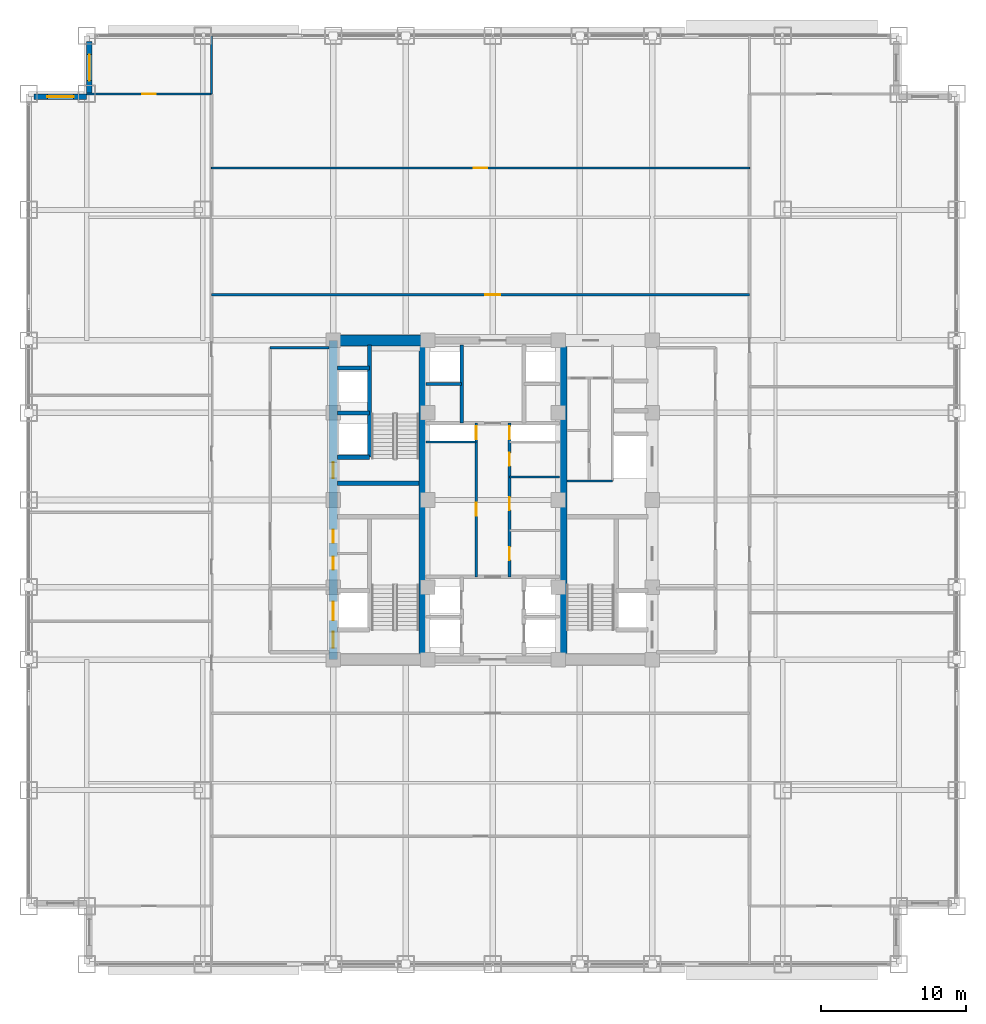
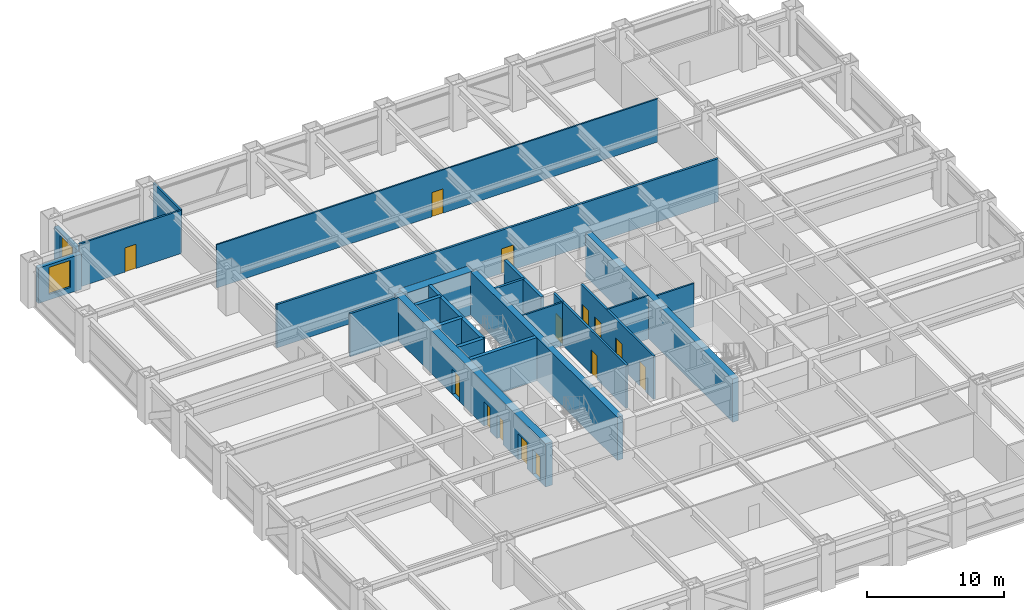
# One storey, part 25 of 32: 23 walls, 14 doors, 2 windows, 16 openings.
"""IFC4 building model written with IfcOpenShell, lengths in metres."""

import ifcopenshell
import ifcopenshell.guid

model = None  # the IFC model being written
_history = None  # IfcOwnerHistory: only IFC2X3 demands one
_inside = {}  # id of a spatial element -> (the spatial element, [elements in it])
_under = {}  # id of a project, library or spatial element -> (it, [spatial elements below it])
_declared = {}  # id of a project -> (the project, [libraries it declares])
_typed = {}  # id of a type object -> (the type object, [elements of that type])
_made_of = {}  # id of a material, layer set ... -> (it, [elements and type objects made of it])


def new_model(schema):
    """Start an empty IFC model of exactly this schema.

    Asked for "IFC4X3", IfcOpenShell would pick the latest addendum, in which some entities
    have other attributes; the version numbers below select the first issue.
    IFC2X3 requires an IfcOwnerHistory on every rooted entity: one is made here for all.
    """
    global model, _history
    if schema == "IFC4X3":
        model = ifcopenshell.file(schema_version=(4, 3, 0, 0))
    else:
        model = ifcopenshell.file(schema=schema)
    _inside.clear()
    _under.clear()
    _declared.clear()
    _typed.clear()
    _made_of.clear()
    _history = None
    if model.schema == "IFC2X3":
        org = make("IfcOrganization", Name="unknown")
        user = make(
            "IfcPersonAndOrganization",
            ThePerson=make("IfcPerson", FamilyName="unknown"),
            TheOrganization=org,
        )
        app = make(
            "IfcApplication",
            ApplicationDeveloper=org,
            Version="unknown",
            ApplicationFullName="unknown",
            ApplicationIdentifier="unknown",
        )
        _history = make(
            "IfcOwnerHistory",
            OwningUser=user,
            OwningApplication=app,
            ChangeAction="ADDED",
            CreationDate=0,
        )
    return model


def make(cls, **values):
    """One entity of the class cls with the attributes given. An attribute that is None is left unset."""
    return model.create_entity(
        cls, **{name: value for name, value in values.items() if value is not None}
    )


def rooted(cls, **values):
    """An entity with a GlobalId (a new one), such as an element, a storey or a relation."""
    return make(cls, GlobalId=ifcopenshell.guid.new(), OwnerHistory=_history, **values)


def si_unit(unit_type, name, prefix=None):
    """IfcSIUnit, for example si_unit("LENGTHUNIT", "METRE", prefix="MILLI")."""
    return make("IfcSIUnit", UnitType=unit_type, Prefix=prefix, Name=name)


def assignment(units):
    """IfcUnitAssignment: the units of a project."""
    return None if units is None else make("IfcUnitAssignment", Units=units)


def point(xyz):
    """IfcCartesianPoint."""
    return None if xyz is None else make("IfcCartesianPoint", Coordinates=xyz)


def direction(xyz):
    """IfcDirection."""
    return None if xyz is None else make("IfcDirection", DirectionRatios=xyz)


def frame(location, z_axis=None, x_axis=None):
    """IfcAxis2Placement3D, a coordinate frame: its origin and axes. An axis left out is left unset."""
    return make(
        "IfcAxis2Placement3D",
        Location=point(location),
        Axis=direction(z_axis),
        RefDirection=direction(x_axis),
    )


def frame_2d(location, x_axis=None):
    """IfcAxis2Placement2D, a coordinate frame in the plane: its origin and x axis."""
    return make(
        "IfcAxis2Placement2D", Location=point(location), RefDirection=direction(x_axis)
    )


def origin():
    """The frame at (0, 0, 0) with its axes left unset."""
    return frame((0.0, 0.0, 0.0))


def place(relative_to, where):
    """IfcLocalPlacement: puts the frame where relative to a parent placement (None: the world)."""
    return make(
        "IfcLocalPlacement", PlacementRelTo=relative_to, RelativePlacement=where
    )


def context(
    kind, dimensions, precision=None, world=None, true_north=None, identifier=None
):
    """IfcGeometricRepresentationContext, for example the 3D "Model" context."""
    return make(
        "IfcGeometricRepresentationContext",
        ContextIdentifier=identifier,
        ContextType=kind,
        CoordinateSpaceDimension=dimensions,
        Precision=precision,
        WorldCoordinateSystem=world,
        TrueNorth=true_north,
    )


def subcontext(parent, identifier, kind, view, scale=None):
    """IfcGeometricRepresentationSubContext, for example "Body" below "Model"."""
    return make(
        "IfcGeometricRepresentationSubContext",
        ContextIdentifier=identifier,
        ContextType=kind,
        ParentContext=parent,
        TargetScale=scale,
        TargetView=view,
    )


def project(units=None, contexts=None):
    """IfcProject with its units and contexts."""
    return rooted(
        "IfcProject",
        Name="project",
        RepresentationContexts=contexts,
        UnitsInContext=assignment(units),
    )


def spatial(cls, under=None, at=None, **own):
    """A site, building, storey or space (cls), placed at a placement, below another one or the project."""
    s = rooted(cls, ObjectPlacement=at, **own)
    if under is not None:
        _under.setdefault(under.id(), (under, []))[1].append(s)
    return s


def profile(cls, at=None, kind="AREA", **sizes):
    """A parametric profile (cls). Its sizes go by their IFC names, for example OverallWidth=200.0."""
    return make(cls, ProfileType=kind, Position=at, **sizes)


def rectangle(**sizes):
    """IfcRectangleProfileDef."""
    return profile("IfcRectangleProfileDef", **sizes)


def extrude(swept, where, along, depth):
    """IfcExtrudedAreaSolid: the profile swept, set in the frame where, extruded along a direction by depth."""
    return make(
        "IfcExtrudedAreaSolid",
        SweptArea=swept,
        Position=where,
        ExtrudedDirection=direction(along),
        Depth=depth,
    )


def shape(context_of_items, identifier, shape_type, items):
    """IfcShapeRepresentation: the items that make up one representation, for example the "Body"."""
    return make(
        "IfcShapeRepresentation",
        ContextOfItems=context_of_items,
        RepresentationIdentifier=identifier,
        RepresentationType=shape_type,
        Items=items,
    )


def source(mapping_origin, context_of_items, identifier, shape_type, items):
    """IfcRepresentationMap: a shape defined once, which mapped items show again and again."""
    return make(
        "IfcRepresentationMap",
        MappingOrigin=mapping_origin,
        MappedRepresentation=shape(context_of_items, identifier, shape_type, items),
    )


def transform(
    local_origin,
    x_axis=None,
    y_axis=None,
    z_axis=None,
    scale=None,
    scale2=None,
    scale3=None,
    uniform=True,
):
    """IfcCartesianTransformationOperator3D, or its non-uniform kind. x_axis, y_axis, z_axis: its Axis1, 2, 3."""
    if uniform:
        return make(
            "IfcCartesianTransformationOperator3D",
            Axis1=direction(x_axis),
            Axis2=direction(y_axis),
            LocalOrigin=point(local_origin),
            Scale=scale,
            Axis3=direction(z_axis),
        )
    return make(
        "IfcCartesianTransformationOperator3DnonUniform",
        Axis1=direction(x_axis),
        Axis2=direction(y_axis),
        LocalOrigin=point(local_origin),
        Scale=scale,
        Axis3=direction(z_axis),
        Scale2=scale2,
        Scale3=scale3,
    )


def mapped(mapping_source, mapping_target):
    """IfcMappedItem: shows the shape of a source again, moved by a transform."""
    return make(
        "IfcMappedItem", MappingSource=mapping_source, MappingTarget=mapping_target
    )


def material(Name=None, Category=None):
    """IfcMaterial."""
    return make("IfcMaterial", Name=Name, Category=Category)


def layer(
    of_material, thickness, ventilated=None, Name=None, Category=None, Priority=None
):
    """IfcMaterialLayer: one layer of a wall or slab, of a material (None: an air gap)."""
    return make(
        "IfcMaterialLayer",
        Material=of_material,
        LayerThickness=thickness,
        IsVentilated=ventilated,
        Name=Name,
        Category=Category,
        Priority=Priority,
    )


def layer_set(layers, Name=None):
    """IfcMaterialLayerSet."""
    return make("IfcMaterialLayerSet", MaterialLayers=layers, LayerSetName=Name)


def made_of(thing, what):
    """Note that an element or type object is made of a material, layer set ...; save() writes the relation."""
    if what is not None:
        _made_of.setdefault(what.id(), (what, []))[1].append(thing)
    return thing


def type_object(cls, material=None, **own):
    """A type object (cls), such as IfcWallType, which elements share."""
    return made_of(rooted(cls, **own), material)


def element(
    cls,
    number,
    at=None,
    inside=None,
    cuts=None,
    type_object=None,
    material=None,
    context=None,
    identifier="Body",
    shape_type=None,
    held_by="IfcProductDefinitionShape",
    body=None,
    shapes=None,
    **own,
):
    """One element of the class cls, such as IfcWall. Its Tag is "e" and its number.

    at: its placement. inside: the storey or other place that contains it. cuts: it is an
    opening in that element (IfcRelVoidsElement). A single representation is given by context,
    identifier, shape_type and body (its items); several are given by shapes. held_by: the class
    of the entity that holds the representations. save() writes the other relations.
    """
    e = rooted(cls, Tag="e%d" % number, ObjectPlacement=at, **own)
    if body is not None:
        shapes = [shape(context, identifier, shape_type, body)]
    if shapes is not None:
        e.Representation = make(held_by, Representations=shapes)
    if inside is not None:
        _inside.setdefault(inside.id(), (inside, []))[1].append(e)
    if cuts is not None:
        rooted(
            "IfcRelVoidsElement", RelatingBuildingElement=cuts, RelatedOpeningElement=e
        )
    if type_object is not None:
        _typed.setdefault(type_object.id(), (type_object, []))[1].append(e)
    return made_of(e, material)


def fill(opening, filler):
    """IfcRelFillsElement: the door or window that sits in an opening."""
    return rooted(
        "IfcRelFillsElement",
        RelatingOpeningElement=opening,
        RelatedBuildingElement=filler,
    )


def aggregate(whole, parts):
    """IfcRelAggregates: a whole, such as a stair, and the parts it consists of."""
    return rooted("IfcRelAggregates", RelatingObject=whole, RelatedObjects=parts)


def save(model, path):
    """Write the relations noted so far, then the file.

    IfcRelAggregates (storeys below a building ...), IfcRelContainedInSpatialStructure (elements
    in a storey), IfcRelDefinesByType, IfcRelAssociatesMaterial and IfcRelDeclares: one each for
    every whole, place, type object, material and project.
    """
    for whole, parts in _under.values():
        aggregate(whole, parts)
    for where, things in _inside.values():
        rooted(
            "IfcRelContainedInSpatialStructure",
            RelatedElements=things,
            RelatingStructure=where,
        )
    for kind, things in _typed.values():
        rooted("IfcRelDefinesByType", RelatedObjects=things, RelatingType=kind)
    for what, things in _made_of.values():
        rooted("IfcRelAssociatesMaterial", RelatedObjects=things, RelatingMaterial=what)
    for by, libraries in _declared.values():
        rooted("IfcRelDeclares", RelatingContext=by, RelatedDefinitions=libraries)
    model.write(path)


model = new_model("IFC4")

# Units and contexts
model_context = context("Model", 3, precision=1e-05, world=origin(), true_north=direction((0.0, 1.0)))
body_context = subcontext(model_context, "Body", "Model", "MODEL_VIEW")
ifc_project = project(units=[si_unit("LENGTHUNIT", "METRE"), si_unit("AREAUNIT", "SQUARE_METRE"), si_unit("VOLUMEUNIT", "CUBIC_METRE"), si_unit("PLANEANGLEUNIT", "RADIAN"), si_unit("MASSUNIT", "GRAM", prefix="KILO")], contexts=[model_context])

# Site, building, storey
site_placement = place(None, origin())
site = spatial("IfcSite", under=ifc_project, at=site_placement, CompositionType="ELEMENT")
building_placement = place(site_placement, origin())
building = spatial("IfcBuilding", under=site, at=building_placement, Name="Khorayat Bourse Tower", CompositionType="ELEMENT")
storey_placement = place(building_placement, frame((0.0, 0.0, 91.39990234375)))
storey = spatial("IfcBuildingStorey", under=building, at=storey_placement, Name="L20", CompositionType="ELEMENT", Elevation=91.39990234375)

# Wall, openings, doors
ifc_material_1 = material(Name="Concrete C60/75", Category="concrete")
ifc_layer_1 = layer(ifc_material_1, 0.60009765625)
ifc_layer_set_1 = layer_set([ifc_layer_1], Name="Concrete C60/75")
wall_type_1 = type_object("IfcWallType", Name="WAL-CORE-600", PredefinedType="SHEAR", material=ifc_layer_set_1)
shared_shape_1 = source(origin(), body_context, "Body", "SweptSolid", [
    extrude(rectangle(XDim=22.0, YDim=0.60009765625, at=frame_2d((11.0, 0.0))), origin(), (0.0, 0.0, 1.0), 3.840087890625),
])
wall_1_placement = place(storey_placement, frame((-11.0, -11.0, 0.0), z_axis=(0.0, 0.0, 1.0), x_axis=(0.0, 1.0, 0.0)))
wall_1 = element("IfcWall", 1, at=wall_1_placement, inside=storey, type_object=wall_type_1, Name="L20 Core Shear Wall CORE-W", PredefinedType="SHEAR", context=body_context, shape_type="MappedRepresentation", body=[
    mapped(shared_shape_1, transform((0.0, 0.0, 0.0), scale=1.0)),
])
shared_shape_2 = source(origin(), body_context, "Body", "SweptSolid", [
    extrude(rectangle(XDim=1.10009765625, YDim=2.199951171875, at=frame_2d((0.550048828125, 1.10009765625))), frame((0.0, 0.31005859375, 0.0), z_axis=(0.0, -1.0, 0.0), x_axis=(1.0, 0.0, 0.0)), (0.0, 0.0, 1.0), 0.6201171875),
])
opening_1_placement = place(wall_1_placement, frame((0.800048828125, 0.0, 0.0)))
opening_1 = element("IfcOpeningElement", 2, at=opening_1_placement, cuts=wall_1, Name="Opening DI-01", PredefinedType="OPENING", context=body_context, shape_type="MappedRepresentation", body=[
    mapped(shared_shape_2, transform((0.0, 0.0, 0.0), scale=1.0)),
])
opening_2_placement = place(wall_1_placement, frame((12.5, 0.0, 0.0)))
opening_2 = element("IfcOpeningElement", 3, at=opening_2_placement, cuts=wall_1, Name="Opening DI-01", PredefinedType="OPENING", context=body_context, shape_type="MappedRepresentation", body=[
    mapped(shared_shape_2, transform((0.0, 0.0, 0.0), scale=1.0)),
])
shared_shape_3 = source(origin(), body_context, "Body", "SweptSolid", [
    extrude(rectangle(XDim=0.89990234375, YDim=2.14990234375, at=frame_2d((0.449951171875, 1.074951171875))), frame((0.0, 0.31005859375, 0.0), z_axis=(0.0, -1.0, 0.0), x_axis=(1.0, 0.0, 0.0)), (0.0, 0.0, 1.0), 0.6201171875),
])
opening_3_placement = place(wall_1_placement, frame((6.199951171875, 0.0, 0.0)))
opening_3 = element("IfcOpeningElement", 4, at=opening_3_placement, cuts=wall_1, Name="Opening DI-06", PredefinedType="OPENING", context=body_context, shape_type="MappedRepresentation", body=[
    mapped(shared_shape_3, transform((0.0, 0.0, 0.0), scale=1.0)),
])
opening_4_placement = place(wall_1_placement, frame((8.050048828125, 0.0, 0.0)))
opening_4 = element("IfcOpeningElement", 5, at=opening_4_placement, cuts=wall_1, Name="Opening DI-06", PredefinedType="OPENING", context=body_context, shape_type="MappedRepresentation", body=[
    mapped(shared_shape_3, transform((0.0, 0.0, 0.0), scale=1.0)),
])
shared_shape_4 = source(origin(), body_context, "Body", "SweptSolid", [
    extrude(rectangle(XDim=1.300048828125, YDim=2.300048828125, at=frame_2d((0.64990234375, 1.14990234375))), frame((0.0, 0.31005859375, 0.0), z_axis=(0.0, -1.0, 0.0), x_axis=(1.0, 0.0, 0.0)), (0.0, 0.0, 1.0), 0.6201171875),
])
opening_5_placement = place(wall_1_placement, frame((2.699951171875, 0.0, 0.0)))
opening_5 = element("IfcOpeningElement", 6, at=opening_5_placement, cuts=wall_1, Name="Opening LD-02", PredefinedType="OPENING", context=body_context, shape_type="MappedRepresentation", body=[
    mapped(shared_shape_4, transform((0.0, 0.0, 0.0), scale=1.0)),
])
ifc_material_2 = material(Name="Fire-rated steel acoustic leaf", Category="steel")
door_type_1 = type_object("IfcDoorType", Name="DR-INT-STAIR-1100", OperationType="NOTDEFINED", PredefinedType="DOOR", material=ifc_material_2)
shared_shape_5 = source(origin(), body_context, "Body", "SweptSolid", [
    extrude(rectangle(XDim=1.10009765625, YDim=2.199951171875, at=frame_2d((0.550048828125, 1.10009765625))), frame((0.0, 0.02490234375, 0.0), z_axis=(0.0, -1.0, 0.0), x_axis=(1.0, 0.0, 0.0)), (0.0, 0.0, 1.0), 0.050048828125),
])
door_1_placement = place(opening_1_placement, origin())
door_1 = element("IfcDoor", 7, at=door_1_placement, inside=storey, type_object=door_type_1, Name="L20 Exit Stair 1 Door", OperationType="SINGLE_SWING_RIGHT", OverallHeight=2.199951171875, OverallWidth=1.10009765625, PredefinedType="DOOR", context=body_context, shape_type="MappedRepresentation", body=[
    mapped(shared_shape_5, transform((0.0, 0.0, 0.0), scale=1.0)),
])
fill(opening_1, door_1)
door_2_placement = place(opening_2_placement, origin())
door_2 = element("IfcDoor", 8, at=door_2_placement, inside=storey, type_object=door_type_1, Name="L20 Exit Stair 2 Door", OperationType="SINGLE_SWING_RIGHT", OverallHeight=2.199951171875, OverallWidth=1.10009765625, PredefinedType="DOOR", context=body_context, shape_type="MappedRepresentation", body=[
    mapped(shared_shape_5, transform((0.0, 0.0, 0.0), scale=1.0)),
])
fill(opening_2, door_2)
ifc_material_3 = material(Name="Moisture-resistant laminate washroom door")
door_type_2 = type_object("IfcDoorType", Name="DR-INT-WC-900", OperationType="NOTDEFINED", PredefinedType="DOOR", material=ifc_material_3)
shared_shape_6 = source(origin(), body_context, "Body", "SweptSolid", [
    extrude(rectangle(XDim=0.89990234375, YDim=2.14990234375, at=frame_2d((0.449951171875, 1.074951171875))), frame((0.0, 0.02490234375, 0.0), z_axis=(0.0, -1.0, 0.0), x_axis=(1.0, 0.0, 0.0)), (0.0, 0.0, 1.0), 0.050048828125),
])
door_3_placement = place(opening_3_placement, origin())
door_3 = element("IfcDoor", 9, at=door_3_placement, inside=storey, type_object=door_type_2, Name="L20 Electrical Plant Room Door", OperationType="SINGLE_SWING_RIGHT", OverallHeight=2.14990234375, OverallWidth=0.89990234375, PredefinedType="DOOR", context=body_context, shape_type="MappedRepresentation", body=[
    mapped(shared_shape_6, transform((0.0, 0.0, 0.0), scale=1.0)),
])
fill(opening_3, door_3)
door_4_placement = place(opening_4_placement, origin())
door_4 = element("IfcDoor", 10, at=door_4_placement, inside=storey, type_object=door_type_2, Name="L20 Cleaner Storage Room Door", OperationType="SINGLE_SWING_LEFT", OverallHeight=2.14990234375, OverallWidth=0.89990234375, PredefinedType="DOOR", context=body_context, shape_type="MappedRepresentation", body=[
    mapped(shared_shape_6, transform((0.0, 0.0, 0.0), scale=1.0)),
])
fill(opening_4, door_4)
ifc_material_4 = material(Name="Fire-rated stainless-steel sliding landing door", Category="steel")
door_type_3 = type_object("IfcDoorType", Name="DR-LIFT-FF-1300", OperationType="NOTDEFINED", PredefinedType="DOOR", material=ifc_material_4)
shared_shape_7 = source(origin(), body_context, "Body", "SweptSolid", [
    extrude(rectangle(XDim=1.300048828125, YDim=2.300048828125, at=frame_2d((0.64990234375, 1.14990234375))), frame((0.0, 0.02490234375, 0.0), z_axis=(0.0, -1.0, 0.0), x_axis=(1.0, 0.0, 0.0)), (0.0, 0.0, 1.0), 0.050048828125),
])
door_5_placement = place(opening_5_placement, origin())
door_5 = element("IfcDoor", 11, at=door_5_placement, inside=storey, type_object=door_type_3, Name="L20 Lift FFL-01 Sliding Landing Door", OperationType="SLIDING_TO_LEFT", OverallHeight=2.300048828125, OverallWidth=1.300048828125, PredefinedType="DOOR", context=body_context, shape_type="MappedRepresentation", body=[
    mapped(shared_shape_7, transform((0.0, 0.0, 0.0), scale=1.0)),
])
fill(opening_5, door_5)

# Walls
ifc_material_5 = material(Name="Concrete C52/65", Category="concrete")
ifc_layer_2 = layer(ifc_material_5, 0.5)
ifc_layer_set_2 = layer_set([ifc_layer_2], Name="Concrete C52/65")
wall_type_2 = type_object("IfcWallType", Name="WAL-CORE-500", PredefinedType="SHEAR", material=ifc_layer_set_2)
shared_shape_8 = source(origin(), body_context, "Body", "SweptSolid", [
    extrude(rectangle(XDim=21.39990234375, YDim=0.5, at=frame_2d((10.699951171875, 0.0))), origin(), (0.0, 0.0, 1.0), 3.840087890625),
])
for number, where, z_axis, x_axis, name in (
    (12, (-4.85009765625, -10.699951171875, 0.0), (0.0, 0.0, 1.0), (0.0, 1.0, 0.0), "L20 Core Shear Wall PIER-W"),
    (13, (4.85009765625, -10.699951171875, 0.0), (0.0, 0.0, 1.0), (0.0, 1.0, 0.0), "L20 Core Shear Wall PIER-E"),
):
    element("IfcWall", number, at=place(storey_placement, frame(where, z_axis=z_axis, x_axis=x_axis)), inside=storey, type_object=wall_type_2, Name=name, PredefinedType="SHEAR", context=body_context, shape_type="MappedRepresentation", body=[
        mapped(shared_shape_8, transform((0.0, 0.0, 0.0), scale=1.0)),
    ])
ifc_material_6 = material(Name="Concrete C72/90", Category="concrete")
ifc_layer_3 = layer(ifc_material_6, 0.75)
ifc_layer_set_3 = layer_set([ifc_layer_3], Name="Concrete C72/90")
wall_type_3 = type_object("IfcWallType", Name="WAL-CORE-750", PredefinedType="SHEAR", material=ifc_layer_set_3)
shared_shape_9 = source(origin(), body_context, "Body", "SweptSolid", [
    extrude(rectangle(XDim=5.849853515625, YDim=0.75, at=frame_2d((2.9248046875, 0.0))), origin(), (0.0, 0.0, 1.0), 3.840087890625),
])
wall_2_placement = place(storey_placement, frame((-10.699951171875, 11.0, 0.0), z_axis=(0.0, 0.0, 1.0), x_axis=(1.0, 0.0, 0.0)))
element("IfcWall", 14, at=wall_2_placement, inside=storey, type_object=wall_type_3, Name="L20 Core Shear Wall PIER-WN", PredefinedType="SHEAR", context=body_context, shape_type="MappedRepresentation", body=[
    mapped(shared_shape_9, transform((0.0, 0.0, 0.0), scale=1.0)),
])
ifc_material_7 = material(Name="Concrete C50/60", Category="concrete")
ifc_layer_4 = layer(ifc_material_7, 0.300048828125)
ifc_layer_set_4 = layer_set([ifc_layer_4], Name="Concrete C50/60")
wall_type_4 = type_object("IfcWallType", Name="WAL-SHAFT-300", PredefinedType="SHEAR", material=ifc_layer_set_4)
shared_shape_10 = source(origin(), body_context, "Body", "SweptSolid", [
    extrude(rectangle(XDim=5.599853515625, YDim=0.300048828125, at=frame_2d((2.7998046875, 0.0))), origin(), (0.0, 0.0, 1.0), 3.840087890625),
])
wall_3_placement = place(storey_placement, frame((-10.699951171875, 1.14990234375, 0.0), z_axis=(0.0, 0.0, 1.0), x_axis=(1.0, 0.0, 0.0)))
element("IfcWall", 15, at=wall_3_placement, inside=storey, type_object=wall_type_4, Name="L20 Core Shear Wall ST2-DIV", PredefinedType="SHEAR", context=body_context, shape_type="MappedRepresentation", body=[
    mapped(shared_shape_10, transform((0.0, 0.0, 0.0), scale=1.0)),
])

# Wall, opening, window
ifc_material_8 = material(Name="Precast concrete C45/55", Category="concrete")
ifc_layer_5 = layer(ifc_material_8, 0.3798828125)
ifc_layer_set_5 = layer_set([ifc_layer_5], Name="Precast concrete C45/55")
wall_type_5 = type_object("IfcWallType", Name="WAL-EXT-STONE-380", PredefinedType="STANDARD", material=ifc_layer_set_5)
shared_shape_11 = source(origin(), body_context, "Body", "SweptSolid", [
    extrude(rectangle(XDim=3.6201171875, YDim=0.3798828125, at=frame_2d((1.81005859375, 0.0))), origin(), (0.0, 0.0, 1.0), 3.14501953125),
])
wall_4_placement = place(storey_placement, frame((-27.81005859375, 28.0, 0.0), z_axis=(0.0, 0.0, 1.0), x_axis=(0.0, 1.0, 0.0)))
wall_4 = element("IfcWall", 16, at=wall_4_placement, inside=storey, type_object=wall_type_5, Name="L20 Re-Entrant Notch Limestone Wall NW-V", PredefinedType="STANDARD", context=body_context, shape_type="MappedRepresentation", body=[
    mapped(shared_shape_11, transform((0.0, 0.0, 0.0), scale=1.0)),
])
shared_shape_12 = source(origin(), body_context, "Body", "SweptSolid", [
    extrude(rectangle(XDim=1.800048828125, YDim=2.39990234375, at=frame_2d((0.89990234375, 1.199951171875))), frame((0.0, 0.199951171875, 0.0), z_axis=(0.0, -1.0, 0.0), x_axis=(1.0, 0.0, 0.0)), (0.0, 0.0, 1.0), 0.39990234375),
])
opening_6_placement = place(wall_4_placement, frame((0.909912109375, 0.0, 0.5)))
opening_6 = element("IfcOpeningElement", 17, at=opening_6_placement, cuts=wall_4, Name="Opening WN-04", PredefinedType="OPENING", context=body_context, shape_type="MappedRepresentation", body=[
    mapped(shared_shape_12, transform((0.0, 0.0, 0.0), scale=1.0)),
])
ifc_material_9 = material(Name="Low-E acoustic laminated double glazing", Category="glass")
window_type = type_object("IfcWindowType", Name="WIN-NOTCH-1800x2400", PartitioningType="SINGLE_PANEL", PredefinedType="WINDOW", material=ifc_material_9)
shared_shape_13 = source(origin(), body_context, "Body", "SweptSolid", [
    extrude(rectangle(XDim=1.800048828125, YDim=2.39990234375, at=frame_2d((0.89990234375, 1.199951171875))), frame((0.0, 0.030029296875, 0.0), z_axis=(0.0, -1.0, 0.0), x_axis=(1.0, 0.0, 0.0)), (0.0, 0.0, 1.0), 0.06005859375),
])
window_1_placement = place(opening_6_placement, origin())
window_1 = element("IfcWindow", 18, at=window_1_placement, inside=storey, type_object=window_type, Name="L20 Facade Window 1", OverallHeight=2.39990234375, OverallWidth=1.800048828125, PartitioningType="SINGLE_PANEL", PredefinedType="WINDOW", context=body_context, shape_type="MappedRepresentation", body=[
    mapped(shared_shape_13, transform((0.0, 0.0, 0.0), scale=1.0)),
])
fill(opening_6, window_1)

wall_5_placement = place(storey_placement, frame((-28.0, 27.81005859375, 0.0), z_axis=(0.0, 0.0, 1.0), x_axis=(-1.0, 0.0, 0.0)))
wall_5 = element("IfcWall", 19, at=wall_5_placement, inside=storey, type_object=wall_type_5, Name="L20 Re-Entrant Notch Limestone Wall NW-H", PredefinedType="STANDARD", context=body_context, shape_type="MappedRepresentation", body=[
    mapped(shared_shape_11, transform((0.0, 0.0, 0.0), scale=1.0)),
])
opening_7_placement = place(wall_5_placement, frame((0.909912109375, 0.0, 0.5)))
opening_7 = element("IfcOpeningElement", 20, at=opening_7_placement, cuts=wall_5, Name="Opening WN-04", PredefinedType="OPENING", context=body_context, shape_type="MappedRepresentation", body=[
    mapped(shared_shape_12, transform((0.0, 0.0, 0.0), scale=1.0)),
])
window_2_placement = place(opening_7_placement, origin())
window_2 = element("IfcWindow", 21, at=window_2_placement, inside=storey, type_object=window_type, Name="L20 Facade Window 1", OverallHeight=2.39990234375, OverallWidth=1.800048828125, PartitioningType="SINGLE_PANEL", PredefinedType="WINDOW", context=body_context, shape_type="MappedRepresentation", body=[
    mapped(shared_shape_13, transform((0.0, 0.0, 0.0), scale=1.0)),
])
fill(opening_7, window_2)

# Walls
shared_shape_14 = source(origin(), body_context, "Body", "SweptSolid", [
    extrude(rectangle(XDim=2.199951171875, YDim=0.300048828125, at=frame_2d((1.10009765625, 0.0))), origin(), (0.0, 0.0, 1.0), 3.840087890625),
])
for number, where, z_axis, x_axis, name in (
    (22, (-10.699951171875, 2.949951171875, 0.0), (0.0, 0.0, 1.0), (1.0, 0.0, 0.0), "L20 Partition WAL-L20-WPIER-H1S"),
    (23, (-10.699951171875, 6.0, 0.0), (0.0, 0.0, 1.0), (1.0, 0.0, 0.0), "L20 Partition WAL-L20-WPIER-H12"),
    (24, (-10.699951171875, 9.10009765625, 0.0), (0.0, 0.0, 1.0), (1.0, 0.0, 0.0), "L20 Partition WAL-L20-WPIER-H2N"),
):
    element("IfcWall", number, at=place(storey_placement, frame(where, z_axis=z_axis, x_axis=x_axis)), inside=storey, type_object=wall_type_4, Name=name, PredefinedType="SHEAR", context=body_context, shape_type="MappedRepresentation", body=[
        mapped(shared_shape_14, transform((0.0, 0.0, 0.0), scale=1.0)),
    ])
shared_shape_15 = source(origin(), body_context, "Body", "SweptSolid", [
    extrude(rectangle(XDim=7.75, YDim=0.300048828125, at=frame_2d((3.875, 0.0))), origin(), (0.0, 0.0, 1.0), 3.840087890625),
])
wall_6_placement = place(storey_placement, frame((-8.5, 2.949951171875, 0.0), z_axis=(0.0, 0.0, 1.0), x_axis=(0.0, 1.0, 0.0)))
element("IfcWall", 25, at=wall_6_placement, inside=storey, type_object=wall_type_4, Name="L20 Partition WAL-L20-WPIER-ST2S", PredefinedType="SHEAR", context=body_context, shape_type="MappedRepresentation", body=[
    mapped(shared_shape_15, transform((0.0, 0.0, 0.0), scale=1.0)),
])
ifc_material_10 = material(Name="Moisture-resistant masonry partition", Category="masonry")
ifc_layer_6 = layer(ifc_material_10, 0.139892578125)
ifc_layer_set_6 = layer_set([ifc_layer_6], Name="Moisture-resistant masonry partition")
wall_type_6 = type_object("IfcWallType", Name="WAL-PART-WET-140", PredefinedType="PARTITIONING", material=ifc_layer_set_6)
shared_shape_16 = source(origin(), body_context, "Body", "SweptSolid", [
    extrude(rectangle(XDim=3.14990234375, YDim=0.139892578125, at=frame_2d((1.574951171875, 0.0))), origin(), (0.0, 0.0, 1.0), 3.840087890625),
])
wall_7_placement = place(storey_placement, frame((5.10009765625, 1.300048828125, 0.0), z_axis=(0.0, 0.0, 1.0), x_axis=(1.0, 0.0, 0.0)))
element("IfcWall", 26, at=wall_7_placement, inside=storey, type_object=wall_type_6, Name="L20 Partition WAL-L20-ECORE-S", PredefinedType="PARTITIONING", context=body_context, shape_type="MappedRepresentation", body=[
    mapped(shared_shape_16, transform((0.0, 0.0, 0.0), scale=1.0)),
])
ifc_material_11 = material(Name="Gypsum plasterboard acoustic stud wall")
ifc_layer_7 = layer(ifc_material_11, 0.179931640625)
ifc_layer_set_7 = layer_set([ifc_layer_7], Name="Gypsum plasterboard acoustic stud wall")
wall_type_7 = type_object("IfcWallType", Name="WAL-PART-CORR-180", PredefinedType="PARTITIONING", material=ifc_layer_set_7)
shared_shape_17 = source(origin(), body_context, "Body", "SweptSolid", [
    extrude(rectangle(XDim=4.050048828125, YDim=0.179931640625, at=frame_2d((2.02490234375, 0.0))), origin(), (0.0, 0.0, 1.0), 3.840087890625),
])
wall_8_placement = place(storey_placement, frame((-15.35009765625, 10.5, 0.0), z_axis=(0.0, 0.0, 1.0), x_axis=(1.0, 0.0, 0.0)))
element("IfcWall", 27, at=wall_8_placement, inside=storey, type_object=wall_type_7, Name="L20 Partition WAL-L20-WLOB-N", PredefinedType="PARTITIONING", context=body_context, shape_type="MappedRepresentation", body=[
    mapped(shared_shape_17, transform((0.0, 0.0, 0.0), scale=1.0)),
])
ifc_material_12 = material(Name="Gypsum plasterboard twin-frame partition")
ifc_layer_8 = layer(ifc_material_12, 0.14990234375)
ifc_layer_set_8 = layer_set([ifc_layer_8], Name="Gypsum plasterboard twin-frame partition")
wall_type_8 = type_object("IfcWallType", Name="WAL-PART-SUITE-150", PredefinedType="PARTITIONING", material=ifc_layer_set_8)
shared_shape_18 = source(origin(), body_context, "Body", "SweptSolid", [
    extrude(rectangle(XDim=3.4501953125, YDim=0.14990234375, at=frame_2d((1.72509765625, 0.0))), origin(), (0.0, 0.0, 1.0), 3.840087890625),
])
wall_9_placement = place(storey_placement, frame((-4.60009765625, 4.0, 0.0), z_axis=(0.0, 0.0, 1.0), x_axis=(1.0, 0.0, 0.0)))
element("IfcWall", 28, at=wall_9_placement, inside=storey, type_object=wall_type_8, Name="L20 Partition WAL-L20-CRSW-S", PredefinedType="PARTITIONING", context=body_context, shape_type="MappedRepresentation", body=[
    mapped(shared_shape_18, transform((0.0, 0.0, 0.0), scale=1.0)),
])
shared_shape_19 = source(origin(), body_context, "Body", "SweptSolid", [
    extrude(rectangle(XDim=5.39990234375, YDim=0.25, at=frame_2d((2.699951171875, 0.0))), origin(), (0.0, 0.0, 1.0), 3.840087890625),
])
wall_10_placement = place(storey_placement, frame((-2.14990234375, 5.300048828125, 0.0), z_axis=(0.0, 0.0, 1.0), x_axis=(0.0, 1.0, 0.0)))
element("IfcWall", 29, at=wall_10_placement, inside=storey, type_object=wall_type_4, Name="L20 Partition WAL-L20-B2-W", PredefinedType="SHEAR", context=body_context, shape_type="MappedRepresentation", body=[
    mapped(shared_shape_19, transform((0.0, 0.0, 0.0), scale=1.0)),
])
shared_shape_20 = source(origin(), body_context, "Body", "SweptSolid", [
    extrude(rectangle(XDim=2.4501953125, YDim=0.199951171875, at=frame_2d((1.22509765625, 0.0))), origin(), (0.0, 0.0, 1.0), 3.840087890625),
])
wall_11_placement = place(storey_placement, frame((-4.60009765625, 8.0, 0.0), z_axis=(0.0, 0.0, 1.0), x_axis=(1.0, 0.0, 0.0)))
element("IfcWall", 30, at=wall_11_placement, inside=storey, type_object=wall_type_4, Name="L20 Partition WAL-L20-B2-MW", PredefinedType="SHEAR", context=body_context, shape_type="MappedRepresentation", body=[
    mapped(shared_shape_20, transform((0.0, 0.0, 0.0), scale=1.0)),
])

# Wall, openings, doors
shared_shape_21 = source(origin(), body_context, "Body", "SweptSolid", [
    extrude(rectangle(XDim=10.60009765625, YDim=0.179931640625, at=frame_2d((5.300048828125, 0.0))), origin(), (0.0, 0.0, 1.0), 3.840087890625),
])
wall_12_placement = place(storey_placement, frame((-1.14990234375, -5.300048828125, 0.0), z_axis=(0.0, 0.0, 1.0), x_axis=(0.0, 1.0, 0.0)))
wall_12 = element("IfcWall", 31, at=wall_12_placement, inside=storey, type_object=wall_type_7, Name="L20 Partition WAL-L20-CMW-L", PredefinedType="PARTITIONING", context=body_context, shape_type="MappedRepresentation", body=[
    mapped(shared_shape_21, transform((0.0, 0.0, 0.0), scale=1.0)),
])
shared_shape_22 = source(origin(), body_context, "Body", "SweptSolid", [
    extrude(rectangle(XDim=0.89990234375, YDim=2.14990234375, at=frame_2d((0.449951171875, 1.074951171875))), frame((0.0, 0.099853515625, 0.0), z_axis=(0.0, -1.0, 0.0), x_axis=(1.0, 0.0, 0.0)), (0.0, 0.0, 1.0), 0.199951171875),
])
opening_8_placement = place(wall_12_placement, frame((4.199951171875, 0.0, 0.0)))
opening_8 = element("IfcOpeningElement", 32, at=opening_8_placement, cuts=wall_12, Name="Opening DI-06", PredefinedType="OPENING", context=body_context, shape_type="MappedRepresentation", body=[
    mapped(shared_shape_22, transform((0.0, 0.0, 0.0), scale=1.0)),
])
opening_9_placement = place(wall_12_placement, frame((9.47509765625, 0.0, 0.0)))
opening_9 = element("IfcOpeningElement", 33, at=opening_9_placement, cuts=wall_12, Name="Opening DI-06", PredefinedType="OPENING", context=body_context, shape_type="MappedRepresentation", body=[
    mapped(shared_shape_22, transform((0.0, 0.0, 0.0), scale=1.0)),
])
door_6_placement = place(opening_8_placement, origin())
door_6 = element("IfcDoor", 34, at=door_6_placement, inside=storey, type_object=door_type_2, Name="L20 Male Core Washroom Door", OperationType="SINGLE_SWING_RIGHT", OverallHeight=2.14990234375, OverallWidth=0.89990234375, PredefinedType="DOOR", context=body_context, shape_type="MappedRepresentation", body=[
    mapped(shared_shape_6, transform((0.0, 0.0, 0.0), scale=1.0)),
])
fill(opening_8, door_6)
door_7_placement = place(opening_9_placement, origin())
door_7 = element("IfcDoor", 35, at=door_7_placement, inside=storey, type_object=door_type_2, Name="L20 West Core Riser Door", OperationType="SINGLE_SWING_LEFT", OverallHeight=2.14990234375, OverallWidth=0.89990234375, PredefinedType="DOOR", context=body_context, shape_type="MappedRepresentation", body=[
    mapped(shared_shape_6, transform((0.0, 0.0, 0.0), scale=1.0)),
])
fill(opening_9, door_7)

wall_13_placement = place(storey_placement, frame((1.14990234375, -5.300048828125, 0.0), z_axis=(0.0, 0.0, 1.0), x_axis=(0.0, 1.0, 0.0)))
wall_13 = element("IfcWall", 36, at=wall_13_placement, inside=storey, type_object=wall_type_7, Name="L20 Partition WAL-L20-CME-L", PredefinedType="PARTITIONING", context=body_context, shape_type="MappedRepresentation", body=[
    mapped(shared_shape_21, transform((0.0, 0.0, 0.0), scale=1.0)),
])
opening_10_placement = place(wall_13_placement, frame((1.14990234375, 0.0, 0.0)))
opening_10 = element("IfcOpeningElement", 37, at=opening_10_placement, cuts=wall_13, Name="Opening DI-06", PredefinedType="OPENING", context=body_context, shape_type="MappedRepresentation", body=[
    mapped(shared_shape_22, transform((0.0, 0.0, 0.0), scale=1.0)),
])
opening_11_placement = place(wall_13_placement, frame((4.60009765625, 0.0, 0.0)))
opening_11 = element("IfcOpeningElement", 38, at=opening_11_placement, cuts=wall_13, Name="Opening DI-06", PredefinedType="OPENING", context=body_context, shape_type="MappedRepresentation", body=[
    mapped(shared_shape_22, transform((0.0, 0.0, 0.0), scale=1.0)),
])
opening_12_placement = place(wall_13_placement, frame((7.64990234375, 0.0, 0.0)))
opening_12 = element("IfcOpeningElement", 39, at=opening_12_placement, cuts=wall_13, Name="Opening DI-06", PredefinedType="OPENING", context=body_context, shape_type="MappedRepresentation", body=[
    mapped(shared_shape_22, transform((0.0, 0.0, 0.0), scale=1.0)),
])
opening_13_placement = place(wall_13_placement, frame((9.47509765625, 0.0, 0.0)))
opening_13 = element("IfcOpeningElement", 40, at=opening_13_placement, cuts=wall_13, Name="Opening DI-06", PredefinedType="OPENING", context=body_context, shape_type="MappedRepresentation", body=[
    mapped(shared_shape_22, transform((0.0, 0.0, 0.0), scale=1.0)),
])
door_8_placement = place(opening_10_placement, origin())
door_8 = element("IfcDoor", 41, at=door_8_placement, inside=storey, type_object=door_type_2, Name="L20 Female Core Washroom Door", OperationType="SINGLE_SWING_RIGHT", OverallHeight=2.14990234375, OverallWidth=0.89990234375, PredefinedType="DOOR", context=body_context, shape_type="MappedRepresentation", body=[
    mapped(shared_shape_6, transform((0.0, 0.0, 0.0), scale=1.0)),
])
fill(opening_10, door_8)
door_9_placement = place(opening_11_placement, origin())
door_9 = element("IfcDoor", 42, at=door_9_placement, inside=storey, type_object=door_type_2, Name="L20 Cleaners Store Door", OperationType="SINGLE_SWING_LEFT", OverallHeight=2.14990234375, OverallWidth=0.89990234375, PredefinedType="DOOR", context=body_context, shape_type="MappedRepresentation", body=[
    mapped(shared_shape_6, transform((0.0, 0.0, 0.0), scale=1.0)),
])
fill(opening_11, door_9)
door_10_placement = place(opening_12_placement, origin())
door_10 = element("IfcDoor", 43, at=door_10_placement, inside=storey, type_object=door_type_2, Name="L20 Meter and BMS Plant Room Door", OperationType="SINGLE_SWING_RIGHT", OverallHeight=2.14990234375, OverallWidth=0.89990234375, PredefinedType="DOOR", context=body_context, shape_type="MappedRepresentation", body=[
    mapped(shared_shape_6, transform((0.0, 0.0, 0.0), scale=1.0)),
])
fill(opening_12, door_10)
door_11_placement = place(opening_13_placement, origin())
door_11 = element("IfcDoor", 44, at=door_11_placement, inside=storey, type_object=door_type_2, Name="L20 East Core Riser Door", OperationType="SINGLE_SWING_RIGHT", OverallHeight=2.14990234375, OverallWidth=0.89990234375, PredefinedType="DOOR", context=body_context, shape_type="MappedRepresentation", body=[
    mapped(shared_shape_6, transform((0.0, 0.0, 0.0), scale=1.0)),
])
fill(opening_13, door_11)

# Wall
shared_shape_23 = source(origin(), body_context, "Body", "SweptSolid", [
    extrude(rectangle(XDim=3.4501953125, YDim=0.139892578125, at=frame_2d((1.72509765625, 0.0))), origin(), (0.0, 0.0, 1.0), 3.840087890625),
])
wall_14_placement = place(storey_placement, frame((1.14990234375, 1.60009765625, 0.0), z_axis=(0.0, 0.0, 1.0), x_axis=(1.0, 0.0, 0.0)))
element("IfcWall", 45, at=wall_14_placement, inside=storey, type_object=wall_type_6, Name="L20 Partition WAL-L20-CME-D2", PredefinedType="PARTITIONING", context=body_context, shape_type="MappedRepresentation", body=[
    mapped(shared_shape_23, transform((0.0, 0.0, 0.0), scale=1.0)),
])

# Wall, opening, door
ifc_material_13 = material(Name="Gypsum plasterboard partition")
ifc_layer_9 = layer(ifc_material_13, 0.125)
ifc_layer_set_9 = layer_set([ifc_layer_9], Name="Gypsum plasterboard partition")
wall_type_9 = type_object("IfcWallType", Name="WAL-PART-ROOM-125", PredefinedType="PARTITIONING", material=ifc_layer_set_9)
shared_shape_24 = source(origin(), body_context, "Body", "SweptSolid", [
    extrude(rectangle(XDim=37.099853515625, YDim=0.125, at=frame_2d((18.5498046875, 0.0))), origin(), (0.0, 0.0, 1.0), 3.840087890625),
])
wall_15_placement = place(storey_placement, frame((-19.39990234375, 22.896484375, 0.0), z_axis=(0.0, 0.0, 1.0), x_axis=(1.0, 0.0, 0.0)))
wall_15 = element("IfcWall", 46, at=wall_15_placement, inside=storey, type_object=wall_type_9, Name="L20 Partition WAL-L20-NDP-1", PredefinedType="PARTITIONING", context=body_context, shape_type="MappedRepresentation", body=[
    mapped(shared_shape_24, transform((0.0, 0.0, 0.0), scale=1.0)),
])
shared_shape_25 = source(origin(), body_context, "Body", "SweptSolid", [
    extrude(rectangle(XDim=0.949951171875, YDim=2.14990234375, at=frame_2d((0.47509765625, 1.074951171875))), frame((0.0, 0.072509765625, 0.0), z_axis=(0.0, -1.0, 0.0), x_axis=(1.0, 0.0, 0.0)), (0.0, 0.0, 1.0), 0.14501953125),
])
opening_14_placement = place(wall_15_placement, frame((18.074951171875, 0.0, 0.0)))
opening_14 = element("IfcOpeningElement", 47, at=opening_14_placement, cuts=wall_15, Name="Opening DI-05", PredefinedType="OPENING", context=body_context, shape_type="MappedRepresentation", body=[
    mapped(shared_shape_25, transform((0.0, 0.0, 0.0), scale=1.0)),
])
ifc_material_14 = material(Name="Acoustic oak veneer office door")
door_type_4 = type_object("IfcDoorType", Name="DR-INT-OFFICE-950", OperationType="NOTDEFINED", PredefinedType="DOOR", material=ifc_material_14)
shared_shape_26 = source(origin(), body_context, "Body", "SweptSolid", [
    extrude(rectangle(XDim=0.949951171875, YDim=2.14990234375, at=frame_2d((0.47509765625, 1.074951171875))), frame((0.0, 0.02490234375, 0.0), z_axis=(0.0, -1.0, 0.0), x_axis=(1.0, 0.0, 0.0)), (0.0, 0.0, 1.0), 0.050048828125),
])
door_12_placement = place(opening_14_placement, origin())
door_12 = element("IfcDoor", 48, at=door_12_placement, inside=storey, type_object=door_type_4, Name="L20 Members Exchange Lounge N1B Door", OperationType="SINGLE_SWING_RIGHT", OverallHeight=2.14990234375, OverallWidth=0.949951171875, PredefinedType="DOOR", context=body_context, shape_type="MappedRepresentation", body=[
    mapped(shared_shape_26, transform((0.0, 0.0, 0.0), scale=1.0)),
])
fill(opening_14, door_12)

shared_shape_27 = source(origin(), body_context, "Body", "SweptSolid", [
    extrude(rectangle(XDim=37.099853515625, YDim=0.179931640625, at=frame_2d((18.5498046875, 0.0))), origin(), (0.0, 0.0, 1.0), 3.840087890625),
])
wall_16_placement = place(storey_placement, frame((-19.39990234375, 14.14990234375, 0.0), z_axis=(0.0, 0.0, 1.0), x_axis=(1.0, 0.0, 0.0)))
wall_16 = element("IfcWall", 49, at=wall_16_placement, inside=storey, type_object=wall_type_7, Name="L20 Partition WAL-L20-NCORR", PredefinedType="PARTITIONING", context=body_context, shape_type="MappedRepresentation", body=[
    mapped(shared_shape_27, transform((0.0, 0.0, 0.0), scale=1.0)),
])
shared_shape_28 = source(origin(), body_context, "Body", "SweptSolid", [
    extrude(rectangle(XDim=1.050048828125, YDim=2.199951171875, at=frame_2d((0.52490234375, 1.10009765625))), frame((0.0, 0.099853515625, 0.0), z_axis=(0.0, -1.0, 0.0), x_axis=(1.0, 0.0, 0.0)), (0.0, 0.0, 1.0), 0.199951171875),
])
opening_15_placement = place(wall_16_placement, frame((18.875, 0.0, 0.0)))
opening_15 = element("IfcOpeningElement", 50, at=opening_15_placement, cuts=wall_16, Name="Opening DI-04", PredefinedType="OPENING", context=body_context, shape_type="MappedRepresentation", body=[
    mapped(shared_shape_28, transform((0.0, 0.0, 0.0), scale=1.0)),
])
ifc_material_15 = material(Name="Fire-rated oak veneer suite entrance door")
door_type_5 = type_object("IfcDoorType", Name="DR-INT-SUITE-1050", OperationType="NOTDEFINED", PredefinedType="DOOR", material=ifc_material_15)
shared_shape_29 = source(origin(), body_context, "Body", "SweptSolid", [
    extrude(rectangle(XDim=1.050048828125, YDim=2.199951171875, at=frame_2d((0.52490234375, 1.10009765625))), frame((0.0, 0.02490234375, 0.0), z_axis=(0.0, -1.0, 0.0), x_axis=(1.0, 0.0, 0.0)), (0.0, 0.0, 1.0), 0.050048828125),
])
door_13_placement = place(opening_15_placement, origin())
door_13 = element("IfcDoor", 51, at=door_13_placement, inside=storey, type_object=door_type_5, Name="L20 Executive Wellness Fitness Gym N1 Door", OperationType="SINGLE_SWING_RIGHT", OverallHeight=2.199951171875, OverallWidth=1.050048828125, PredefinedType="DOOR", context=body_context, shape_type="MappedRepresentation", body=[
    mapped(shared_shape_29, transform((0.0, 0.0, 0.0), scale=1.0)),
])
fill(opening_15, door_13)

# Wall
shared_shape_30 = source(origin(), body_context, "Body", "SweptSolid", [
    extrude(rectangle(XDim=4.0, YDim=0.14990234375, at=frame_2d((2.0, 0.0))), origin(), (0.0, 0.0, 1.0), 3.840087890625),
])
wall_17_placement = place(storey_placement, frame((-19.39990234375, 28.0, 0.0), z_axis=(0.0, 0.0, 1.0), x_axis=(0.0, 1.0, 0.0)))
element("IfcWall", 52, at=wall_17_placement, inside=storey, type_object=wall_type_8, Name="L20 Partition WAL-L20-NCW-END", PredefinedType="PARTITIONING", context=body_context, shape_type="MappedRepresentation", body=[
    mapped(shared_shape_30, transform((0.0, 0.0, 0.0), scale=1.0)),
])

# Wall, opening, door
shared_shape_31 = source(origin(), body_context, "Body", "SweptSolid", [
    extrude(rectangle(XDim=8.60009765625, YDim=0.14990234375, at=frame_2d((4.300048828125, 0.0))), origin(), (0.0, 0.0, 1.0), 3.840087890625),
])
wall_18_placement = place(storey_placement, frame((-28.0, 28.0, 0.0), z_axis=(0.0, 0.0, 1.0), x_axis=(1.0, 0.0, 0.0)))
wall_18 = element("IfcWall", 53, at=wall_18_placement, inside=storey, type_object=wall_type_8, Name="L20 Partition WAL-L20-CNW", PredefinedType="PARTITIONING", context=body_context, shape_type="MappedRepresentation", body=[
    mapped(shared_shape_31, transform((0.0, 0.0, 0.0), scale=1.0)),
])
shared_shape_32 = source(origin(), body_context, "Body", "SweptSolid", [
    extrude(rectangle(XDim=0.949951171875, YDim=2.14990234375, at=frame_2d((0.47509765625, 1.074951171875))), frame((0.0, 0.0849609375, 0.0), z_axis=(0.0, -1.0, 0.0), x_axis=(1.0, 0.0, 0.0)), (0.0, 0.0, 1.0), 0.169921875),
])
opening_16_placement = place(wall_18_placement, frame((3.824951171875, 0.0, 0.0)))
opening_16 = element("IfcOpeningElement", 54, at=opening_16_placement, cuts=wall_18, Name="Opening DI-05", PredefinedType="OPENING", context=body_context, shape_type="MappedRepresentation", body=[
    mapped(shared_shape_32, transform((0.0, 0.0, 0.0), scale=1.0)),
])
door_14_placement = place(opening_16_placement, origin())
door_14 = element("IfcDoor", 55, at=door_14_placement, inside=storey, type_object=door_type_4, Name="L20 North-West Corner Meeting Room Door", OperationType="SINGLE_SWING_LEFT", OverallHeight=2.14990234375, OverallWidth=0.949951171875, PredefinedType="DOOR", context=body_context, shape_type="MappedRepresentation", body=[
    mapped(shared_shape_26, transform((0.0, 0.0, 0.0), scale=1.0)),
])
fill(opening_16, door_14)

save(model, "model.ifc")
